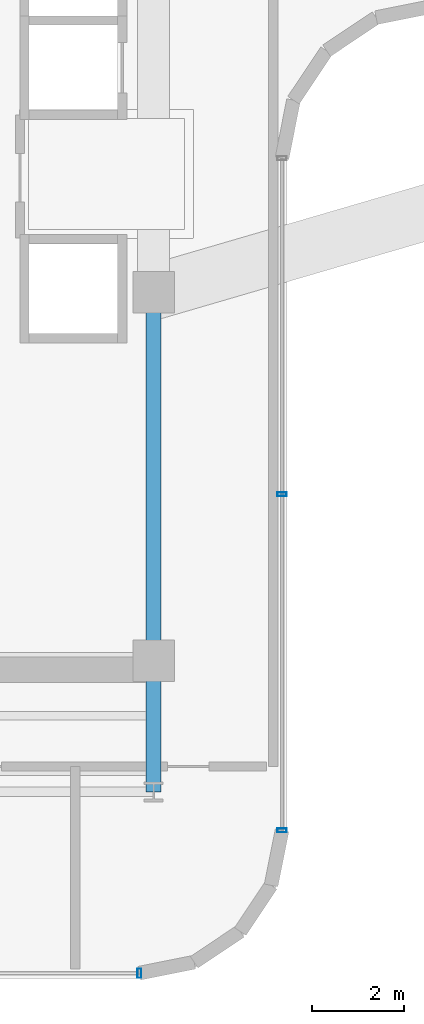
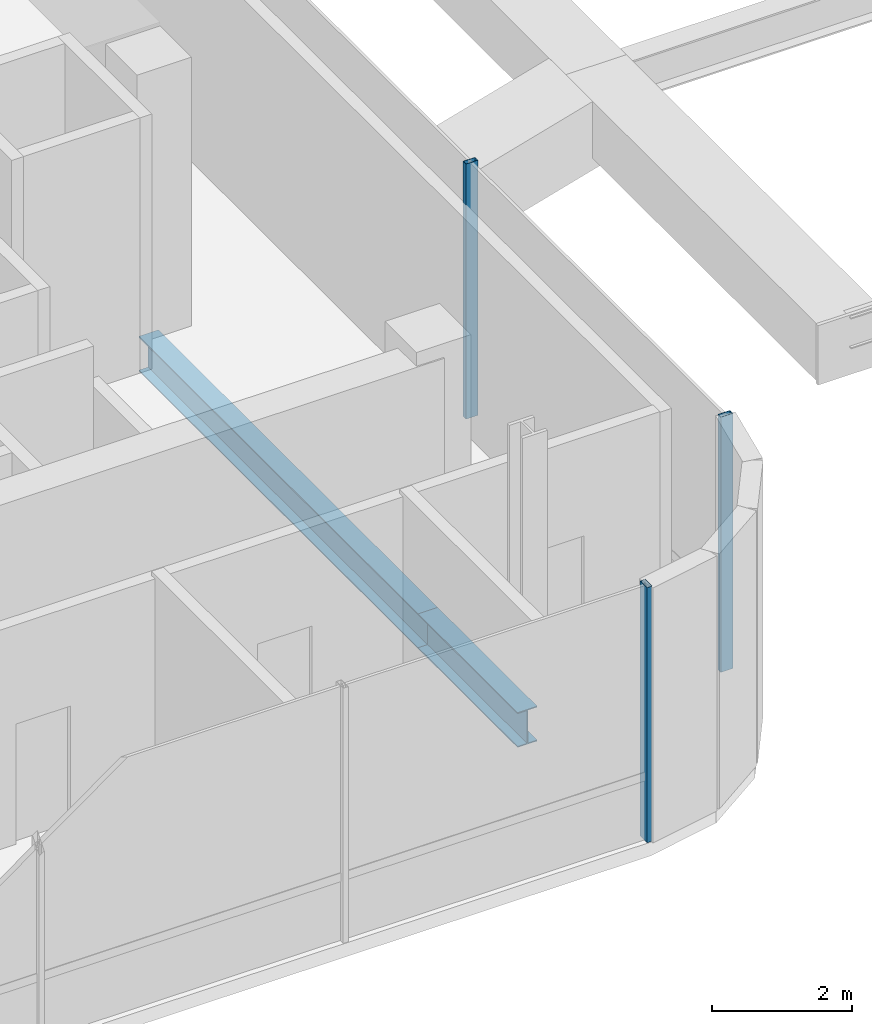
# One storey, part 5 of 20: 3 members, 2 beams, 2 elements without a shape of their own.
"""IFC4 building model written with IfcOpenShell, lengths in metres."""

from ifc_helpers import new_model, si_unit, direction, frame, origin, origin_2d, place, context, subcontext, project, spatial, hollow_rectangle, i_section, extrude, source, transform, mapped, material, material_profile, profile_set, type_object, element, aggregate, save


model = new_model("IFC4")

# Units and contexts
model_context = context("Model", 3, precision=1e-05, world=origin(), true_north=direction((0.0, 1.0)))
body_context = subcontext(model_context, "Body", "Model", "MODEL_VIEW")
ifc_project = project(units=[si_unit("LENGTHUNIT", "METRE"), si_unit("AREAUNIT", "SQUARE_METRE"), si_unit("VOLUMEUNIT", "CUBIC_METRE"), si_unit("PLANEANGLEUNIT", "RADIAN"), si_unit("MASSUNIT", "GRAM", prefix="KILO")], contexts=[model_context])

# Site, building, storey
site_placement = place(None, origin())
site = spatial("IfcSite", under=ifc_project, at=site_placement, CompositionType="ELEMENT")
building_placement = place(site_placement, origin())
building = spatial("IfcBuilding", under=site, at=building_placement, Name="Valdorenza Pilgrim Sanctuary Tower", CompositionType="ELEMENT")
storey_placement = place(building_placement, frame((0.0, 0.0, 196.300048828125)))
storey = spatial("IfcBuildingStorey", under=building, at=storey_placement, Name="L50", CompositionType="ELEMENT", Elevation=196.300048828125)

# Beams
ifc_material_1 = material(Name="Steel ASTM A992 Grade 50", Category="steel")
ifc_material_profile_1 = material_profile(ifc_material_1, i_section(OverallWidth=0.323974609375, OverallDepth=0.611083984375, WebThickness=0.0126953125, FlangeThickness=0.01904296875, at=origin_2d()), Name="W24X104")
ifc_profile_set_1 = profile_set([ifc_material_profile_1], Name="Steel ASTM A992 Grade 50")
beam_type = type_object("IfcBeamType", Name="STR-BM-GRD-W24B", PredefinedType="BEAM", material=ifc_profile_set_1)
shared_shape_1 = source(origin(), body_context, "Body", "SweptSolid", [
    extrude(i_section(OverallWidth=0.323974609375, OverallDepth=0.611083984375, WebThickness=0.0126953125, FlangeThickness=0.01904296875, at=origin_2d()), origin(), (0.0, 0.0, 1.0), 8.0),
])
beam_1_placement = place(storey_placement, frame((-12.39990234375, -10.60009765625, -0.545654296875), z_axis=(0.0, 1.0, 0.0), x_axis=(-1.0, 0.0, 0.0)))
element("IfcBeam", 1, at=beam_1_placement, inside=storey, type_object=beam_type, Name="L50 Core Tie Girder CA-E-S1M0", PredefinedType="BEAM", context=body_context, shape_type="MappedRepresentation", body=[
    mapped(shared_shape_1, transform((0.0, 0.0, 0.0), x_axis=(1.0, 0.0, 0.0), y_axis=(0.0, 1.0, 0.0), z_axis=(0.0, 0.0, 1.0), scale=1.0)),
])
shared_shape_2 = source(origin(), body_context, "Body", "SweptSolid", [
    extrude(i_section(OverallWidth=0.323974609375, OverallDepth=0.611083984375, WebThickness=0.0126953125, FlangeThickness=0.01904296875, at=origin_2d()), origin(), (0.0, 0.0, 1.0), 2.849853515625),
])
beam_2_placement = place(storey_placement, frame((-12.39990234375, -13.449951171875, -0.545654296875), z_axis=(0.0, 1.0, 0.0), x_axis=(-1.0, 0.0, 0.0)))
element("IfcBeam", 2, at=beam_2_placement, inside=storey, type_object=beam_type, Name="L50 Floor Girder WA-S-LE", PredefinedType="BEAM", context=body_context, shape_type="MappedRepresentation", body=[
    mapped(shared_shape_2, transform((0.0, 0.0, 0.0), x_axis=(1.0, 0.0, 0.0), y_axis=(0.0, 1.0, 0.0), z_axis=(0.0, 0.0, 1.0), scale=1.0)),
])

# Curtain wall, members
ifc_material_2 = material(Name="Curtain-wall IGU glazing", Category="glass")
curtain_wall_type = type_object("IfcCurtainWallType", Name="CW-SYS-02", PredefinedType="NOTDEFINED", material=ifc_material_2)
curtain_wall_1_placement = place(storey_placement, origin())
curtain_wall_1 = element("IfcCurtainWall", 3, at=curtain_wall_1_placement, inside=storey, type_object=curtain_wall_type, Name="L50 Curtain Wall CW-L50-1-21", PredefinedType="NOTDEFINED")
ifc_material_3 = material(Name="Anodised aluminium AW-6060", Category="aluminium")
ifc_material_profile_2 = material_profile(ifc_material_3, hollow_rectangle(XDim=0.0849609375, YDim=0.199951171875, WallThickness=0.0048828125, at=origin_2d()), Name="ALU-M 200x85x5")
ifc_profile_set_2 = profile_set([ifc_material_profile_2], Name="Anodised aluminium AW-6060")
member_type = type_object("IfcMemberType", Name="CW-MUL-02", PredefinedType="MULLION", material=ifc_profile_set_2)
shared_shape_3 = source(origin(), body_context, "Body", "SweptSolid", [
    extrude(hollow_rectangle(XDim=0.0849609375, YDim=0.199951171875, WallThickness=0.0048828125, at=origin_2d()), origin(), (0.0, 0.0, 1.0), 4.4599609375),
])
member_1_placement = place(storey_placement, frame((-9.610107421875, -6.9892578125, 0.0), z_axis=(0.0, 0.0, 1.0), x_axis=(0.0, -1.0, 0.0)))
member_1 = element("IfcMember", 4, at=member_1_placement, type_object=member_type, Name="CW-L50-1-21 Mullion 2", PredefinedType="MULLION", context=body_context, shape_type="MappedRepresentation", body=[
    mapped(shared_shape_3, transform((0.0, 0.0, 0.0), x_axis=(1.0, 0.0, 0.0), y_axis=(0.0, 1.0, 0.0), z_axis=(0.0, 0.0, 1.0), scale=1.0)),
])
member_2_placement = place(storey_placement, frame((-9.610107421875, -14.289306640625, 0.0), z_axis=(0.0, 0.0, 1.0), x_axis=(0.0, -1.0, 0.0)))
member_2 = element("IfcMember", 5, at=member_2_placement, type_object=member_type, Name="CW-L50-1-21 Mullion 3", PredefinedType="MULLION", context=body_context, shape_type="MappedRepresentation", body=[
    mapped(shared_shape_3, transform((0.0, 0.0, 0.0), x_axis=(1.0, 0.0, 0.0), y_axis=(0.0, 1.0, 0.0), z_axis=(0.0, 0.0, 1.0), scale=1.0)),
])
aggregate(curtain_wall_1, [member_1, member_2])

# Curtain wall, member
curtain_wall_2_placement = place(storey_placement, origin())
curtain_wall_2 = element("IfcCurtainWall", 6, at=curtain_wall_2_placement, inside=storey, type_object=curtain_wall_type, Name="L50 Curtain Wall CW-L50-1-26", PredefinedType="NOTDEFINED")
member_3_placement = place(storey_placement, frame((-12.710693359375, -17.389892578125, 0.0), z_axis=(0.0, 0.0, 1.0), x_axis=(-1.0, 0.0, 0.0)))
member_3 = element("IfcMember", 7, at=member_3_placement, type_object=member_type, Name="CW-L50-1-26 Mullion 1", PredefinedType="MULLION", context=body_context, shape_type="MappedRepresentation", body=[
    mapped(shared_shape_3, transform((0.0, 0.0, 0.0), x_axis=(1.0, 0.0, 0.0), y_axis=(0.0, 1.0, 0.0), z_axis=(0.0, 0.0, 1.0), scale=1.0)),
])
aggregate(curtain_wall_2, [member_3])

save(model, "model.ifc")
